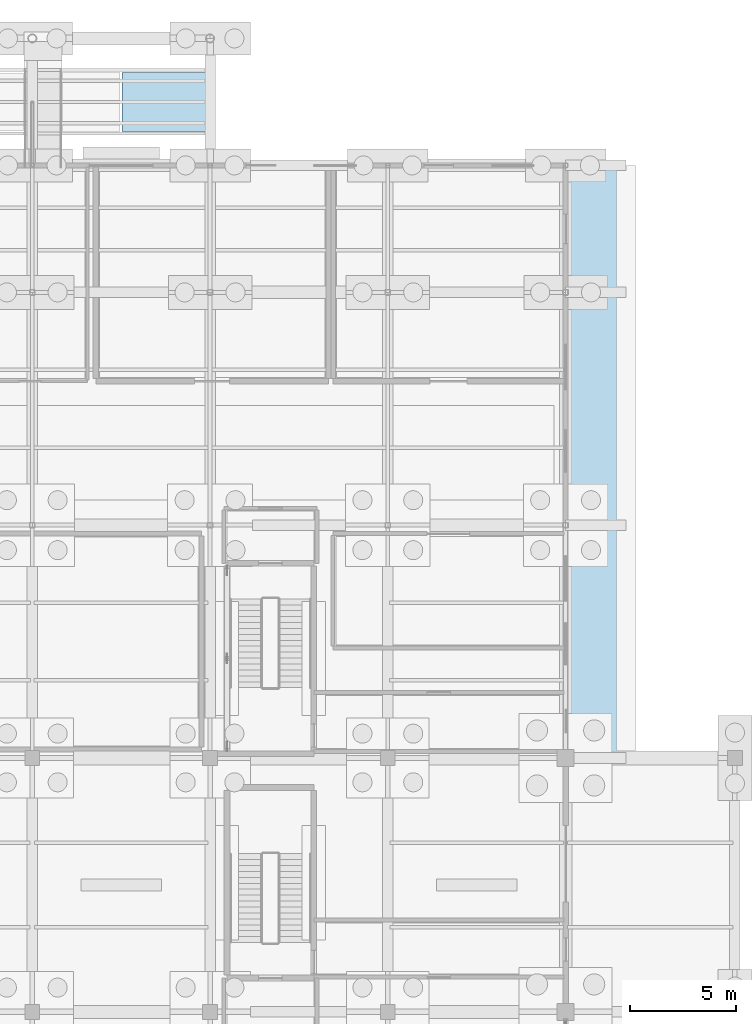
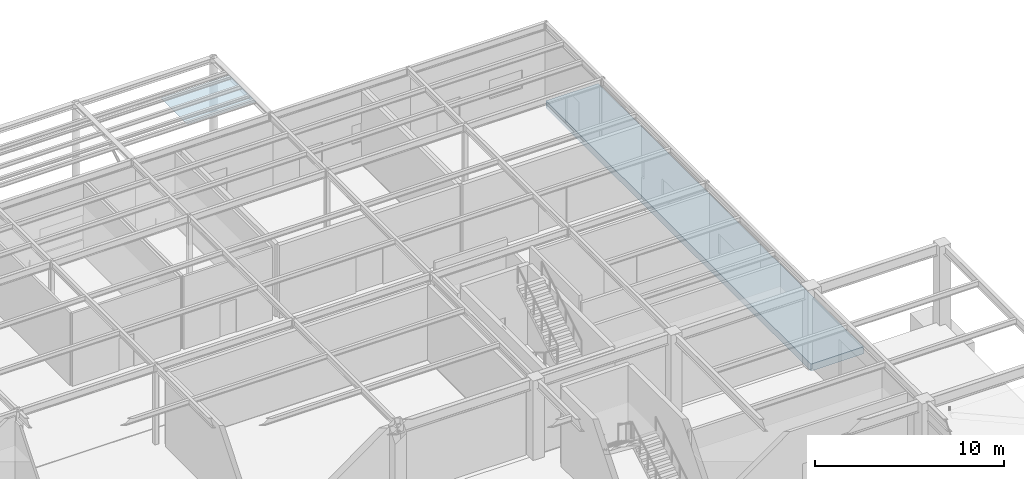
# One storey, part 92 of 129: 1 plate, 1 slab.
"""IFC4 building model written with IfcOpenShell, lengths in metres."""

import ifcopenshell
import ifcopenshell.guid

model = None  # the IFC model being written
_history = None  # IfcOwnerHistory: only IFC2X3 demands one
_inside = {}  # id of a spatial element -> (the spatial element, [elements in it])
_under = {}  # id of a project, library or spatial element -> (it, [spatial elements below it])
_declared = {}  # id of a project -> (the project, [libraries it declares])
_typed = {}  # id of a type object -> (the type object, [elements of that type])
_made_of = {}  # id of a material, layer set ... -> (it, [elements and type objects made of it])


def new_model(schema):
    """Start an empty IFC model of exactly this schema.

    Asked for "IFC4X3", IfcOpenShell would pick the latest addendum, in which some entities
    have other attributes; the version numbers below select the first issue.
    IFC2X3 requires an IfcOwnerHistory on every rooted entity: one is made here for all.
    """
    global model, _history
    if schema == "IFC4X3":
        model = ifcopenshell.file(schema_version=(4, 3, 0, 0))
    else:
        model = ifcopenshell.file(schema=schema)
    _inside.clear()
    _under.clear()
    _declared.clear()
    _typed.clear()
    _made_of.clear()
    _history = None
    if model.schema == "IFC2X3":
        org = make("IfcOrganization", Name="unknown")
        user = make(
            "IfcPersonAndOrganization",
            ThePerson=make("IfcPerson", FamilyName="unknown"),
            TheOrganization=org,
        )
        app = make(
            "IfcApplication",
            ApplicationDeveloper=org,
            Version="unknown",
            ApplicationFullName="unknown",
            ApplicationIdentifier="unknown",
        )
        _history = make(
            "IfcOwnerHistory",
            OwningUser=user,
            OwningApplication=app,
            ChangeAction="ADDED",
            CreationDate=0,
        )
    return model


def make(cls, **values):
    """One entity of the class cls with the attributes given. An attribute that is None is left unset."""
    return model.create_entity(
        cls, **{name: value for name, value in values.items() if value is not None}
    )


def rooted(cls, **values):
    """An entity with a GlobalId (a new one), such as an element, a storey or a relation."""
    return make(cls, GlobalId=ifcopenshell.guid.new(), OwnerHistory=_history, **values)


def si_unit(unit_type, name, prefix=None):
    """IfcSIUnit, for example si_unit("LENGTHUNIT", "METRE", prefix="MILLI")."""
    return make("IfcSIUnit", UnitType=unit_type, Prefix=prefix, Name=name)


def assignment(units):
    """IfcUnitAssignment: the units of a project."""
    return None if units is None else make("IfcUnitAssignment", Units=units)


def point(xyz):
    """IfcCartesianPoint."""
    return None if xyz is None else make("IfcCartesianPoint", Coordinates=xyz)


def direction(xyz):
    """IfcDirection."""
    return None if xyz is None else make("IfcDirection", DirectionRatios=xyz)


def frame(location, z_axis=None, x_axis=None):
    """IfcAxis2Placement3D, a coordinate frame: its origin and axes. An axis left out is left unset."""
    return make(
        "IfcAxis2Placement3D",
        Location=point(location),
        Axis=direction(z_axis),
        RefDirection=direction(x_axis),
    )


def frame_2d(location, x_axis=None):
    """IfcAxis2Placement2D, a coordinate frame in the plane: its origin and x axis."""
    return make(
        "IfcAxis2Placement2D", Location=point(location), RefDirection=direction(x_axis)
    )


def origin():
    """The frame at (0, 0, 0) with its axes left unset."""
    return frame((0.0, 0.0, 0.0))


def origin_2d():
    """The frame at (0, 0) in the plane with its x axis left unset."""
    return frame_2d((0.0, 0.0))


def place(relative_to, where):
    """IfcLocalPlacement: puts the frame where relative to a parent placement (None: the world)."""
    return make(
        "IfcLocalPlacement", PlacementRelTo=relative_to, RelativePlacement=where
    )


def context(
    kind, dimensions, precision=None, world=None, true_north=None, identifier=None
):
    """IfcGeometricRepresentationContext, for example the 3D "Model" context."""
    return make(
        "IfcGeometricRepresentationContext",
        ContextIdentifier=identifier,
        ContextType=kind,
        CoordinateSpaceDimension=dimensions,
        Precision=precision,
        WorldCoordinateSystem=world,
        TrueNorth=true_north,
    )


def subcontext(parent, identifier, kind, view, scale=None):
    """IfcGeometricRepresentationSubContext, for example "Body" below "Model"."""
    return make(
        "IfcGeometricRepresentationSubContext",
        ContextIdentifier=identifier,
        ContextType=kind,
        ParentContext=parent,
        TargetScale=scale,
        TargetView=view,
    )


def project(units=None, contexts=None):
    """IfcProject with its units and contexts."""
    return rooted(
        "IfcProject",
        Name="project",
        RepresentationContexts=contexts,
        UnitsInContext=assignment(units),
    )


def spatial(cls, under=None, at=None, **own):
    """A site, building, storey or space (cls), placed at a placement, below another one or the project."""
    s = rooted(cls, ObjectPlacement=at, **own)
    if under is not None:
        _under.setdefault(under.id(), (under, []))[1].append(s)
    return s


def polyline(points):
    """IfcPolyline through the points."""
    return make("IfcPolyline", Points=[point(p) for p in points])


def profile(cls, at=None, kind="AREA", **sizes):
    """A parametric profile (cls). Its sizes go by their IFC names, for example OverallWidth=200.0."""
    return make(cls, ProfileType=kind, Position=at, **sizes)


def rectangle(**sizes):
    """IfcRectangleProfileDef."""
    return profile("IfcRectangleProfileDef", **sizes)


def outline(outer, holes=None, kind="AREA"):
    """IfcArbitraryClosedProfileDef: a profile drawn as a closed curve; with holes, ...WithVoids."""
    if holes is None:
        return make("IfcArbitraryClosedProfileDef", ProfileType=kind, OuterCurve=outer)
    return make(
        "IfcArbitraryProfileDefWithVoids",
        ProfileType=kind,
        OuterCurve=outer,
        InnerCurves=holes,
    )


def extrude(swept, where, along, depth):
    """IfcExtrudedAreaSolid: the profile swept, set in the frame where, extruded along a direction by depth."""
    return make(
        "IfcExtrudedAreaSolid",
        SweptArea=swept,
        Position=where,
        ExtrudedDirection=direction(along),
        Depth=depth,
    )


def shape(context_of_items, identifier, shape_type, items):
    """IfcShapeRepresentation: the items that make up one representation, for example the "Body"."""
    return make(
        "IfcShapeRepresentation",
        ContextOfItems=context_of_items,
        RepresentationIdentifier=identifier,
        RepresentationType=shape_type,
        Items=items,
    )


def material(Name=None, Category=None):
    """IfcMaterial."""
    return make("IfcMaterial", Name=Name, Category=Category)


def layer(
    of_material, thickness, ventilated=None, Name=None, Category=None, Priority=None
):
    """IfcMaterialLayer: one layer of a wall or slab, of a material (None: an air gap)."""
    return make(
        "IfcMaterialLayer",
        Material=of_material,
        LayerThickness=thickness,
        IsVentilated=ventilated,
        Name=Name,
        Category=Category,
        Priority=Priority,
    )


def layer_set(layers, Name=None):
    """IfcMaterialLayerSet."""
    return make("IfcMaterialLayerSet", MaterialLayers=layers, LayerSetName=Name)


def made_of(thing, what):
    """Note that an element or type object is made of a material, layer set ...; save() writes the relation."""
    if what is not None:
        _made_of.setdefault(what.id(), (what, []))[1].append(thing)
    return thing


def type_object(cls, material=None, **own):
    """A type object (cls), such as IfcWallType, which elements share."""
    return made_of(rooted(cls, **own), material)


def element(
    cls,
    number,
    at=None,
    inside=None,
    cuts=None,
    type_object=None,
    material=None,
    context=None,
    identifier="Body",
    shape_type=None,
    held_by="IfcProductDefinitionShape",
    body=None,
    shapes=None,
    **own,
):
    """One element of the class cls, such as IfcWall. Its Tag is "e" and its number.

    at: its placement. inside: the storey or other place that contains it. cuts: it is an
    opening in that element (IfcRelVoidsElement). A single representation is given by context,
    identifier, shape_type and body (its items); several are given by shapes. held_by: the class
    of the entity that holds the representations. save() writes the other relations.
    """
    e = rooted(cls, Tag="e%d" % number, ObjectPlacement=at, **own)
    if body is not None:
        shapes = [shape(context, identifier, shape_type, body)]
    if shapes is not None:
        e.Representation = make(held_by, Representations=shapes)
    if inside is not None:
        _inside.setdefault(inside.id(), (inside, []))[1].append(e)
    if cuts is not None:
        rooted(
            "IfcRelVoidsElement", RelatingBuildingElement=cuts, RelatedOpeningElement=e
        )
    if type_object is not None:
        _typed.setdefault(type_object.id(), (type_object, []))[1].append(e)
    return made_of(e, material)


def aggregate(whole, parts):
    """IfcRelAggregates: a whole, such as a stair, and the parts it consists of."""
    return rooted("IfcRelAggregates", RelatingObject=whole, RelatedObjects=parts)


def save(model, path):
    """Write the relations noted so far, then the file.

    IfcRelAggregates (storeys below a building ...), IfcRelContainedInSpatialStructure (elements
    in a storey), IfcRelDefinesByType, IfcRelAssociatesMaterial and IfcRelDeclares: one each for
    every whole, place, type object, material and project.
    """
    for whole, parts in _under.values():
        aggregate(whole, parts)
    for where, things in _inside.values():
        rooted(
            "IfcRelContainedInSpatialStructure",
            RelatedElements=things,
            RelatingStructure=where,
        )
    for kind, things in _typed.values():
        rooted("IfcRelDefinesByType", RelatedObjects=things, RelatingType=kind)
    for what, things in _made_of.values():
        rooted("IfcRelAssociatesMaterial", RelatedObjects=things, RelatingMaterial=what)
    for by, libraries in _declared.values():
        rooted("IfcRelDeclares", RelatingContext=by, RelatedDefinitions=libraries)
    model.write(path)


model = new_model("IFC4")

# Units and contexts
model_context = context("Model", 3, precision=1e-05, world=origin(), true_north=direction((0.0, 1.0)))
body_context = subcontext(model_context, "Body", "Model", "MODEL_VIEW")
ifc_project = project(units=[si_unit("LENGTHUNIT", "METRE"), si_unit("AREAUNIT", "SQUARE_METRE"), si_unit("VOLUMEUNIT", "CUBIC_METRE"), si_unit("PLANEANGLEUNIT", "RADIAN"), si_unit("MASSUNIT", "GRAM", prefix="KILO")], contexts=[model_context])

# Site, building, storey
site_placement = place(None, origin())
site = spatial("IfcSite", under=ifc_project, at=site_placement, CompositionType="ELEMENT")
building_placement = place(site_placement, origin())
building = spatial("IfcBuilding", under=site, at=building_placement, Name="Sitalva Quay Ferry Terminal", CompositionType="ELEMENT")
storey_placement = place(building_placement, origin())
storey = spatial("IfcBuildingStorey", under=building, at=storey_placement, Name="L01", CompositionType="ELEMENT", Elevation=0.0)

# Slab
ifc_material_1 = material(Name="Concrete C35/45", Category="concrete")
ifc_layer_1 = layer(ifc_material_1, 0.449951171875)
ifc_layer_set_1 = layer_set([ifc_layer_1], Name="Concrete C35/45")
slab_type = type_object("IfcSlabType", Name="Slab_QuayBase_450", PredefinedType="BASESLAB", material=ifc_layer_set_1)
slab_placement = place(storey_placement, frame((0.0, 0.0, -0.449951171875)))
element("IfcSlab", 1, at=slab_placement, inside=storey, type_object=slab_type, Name="L01 East service and exit discharge walkway 024", PredefinedType="BASESLAB", context=body_context, shape_type="SweptSolid", body=[
    extrude(outline(polyline([(168.0, 78.0), (171.199951171875, 78.0), (171.199951171875, 106.0), (168.0, 106.0), (168.0, 78.0)])), origin(), (0.0, 0.0, 1.0), 0.449951171875),
])

# Plate
ifc_material_2 = material(Name="Anodised Aluminium 6063-T6", Category="aluminium")
ifc_layer_2 = layer(ifc_material_2, 0.013916015625)
ifc_layer_set_2 = layer_set([ifc_layer_2], Name="Anodised Aluminium 6063-T6")
plate_type = type_object("IfcPlateType", Name="SoffitSheet_4200x2800x14", PredefinedType="SHEET", material=ifc_layer_set_2)
plate_placement = place(storey_placement, frame((149.14990234375, 109.0, 4.84912109375), z_axis=(0.0, 0.0, 1.0), x_axis=(1.0, 0.0, 0.0)))
element("IfcPlate", 2, at=plate_placement, inside=storey, type_object=plate_type, Name="Canopy soffit cassette 14", PredefinedType="SHEET", context=body_context, shape_type="SweptSolid", body=[
    extrude(rectangle(XDim=4.199951171875, YDim=2.800048828125, at=origin_2d()), origin(), (0.0, 0.0, 1.0), 0.013916015625),
])

save(model, "model.ifc")
